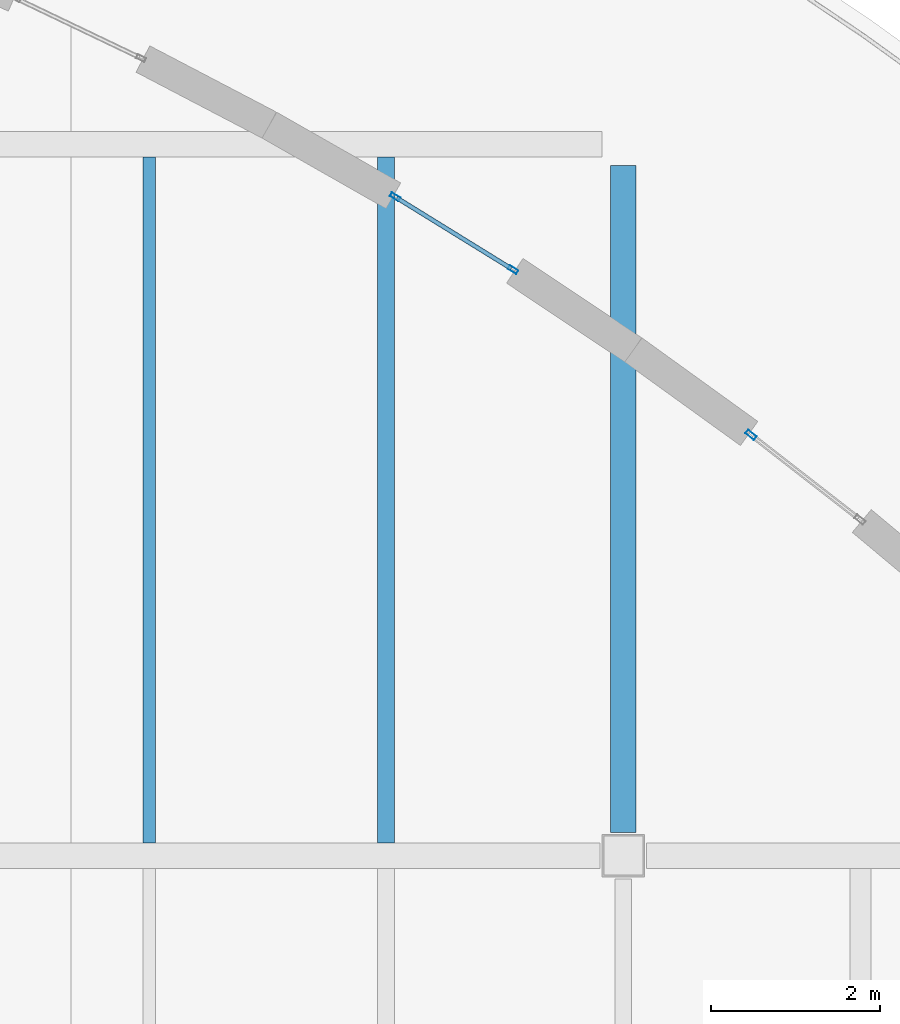
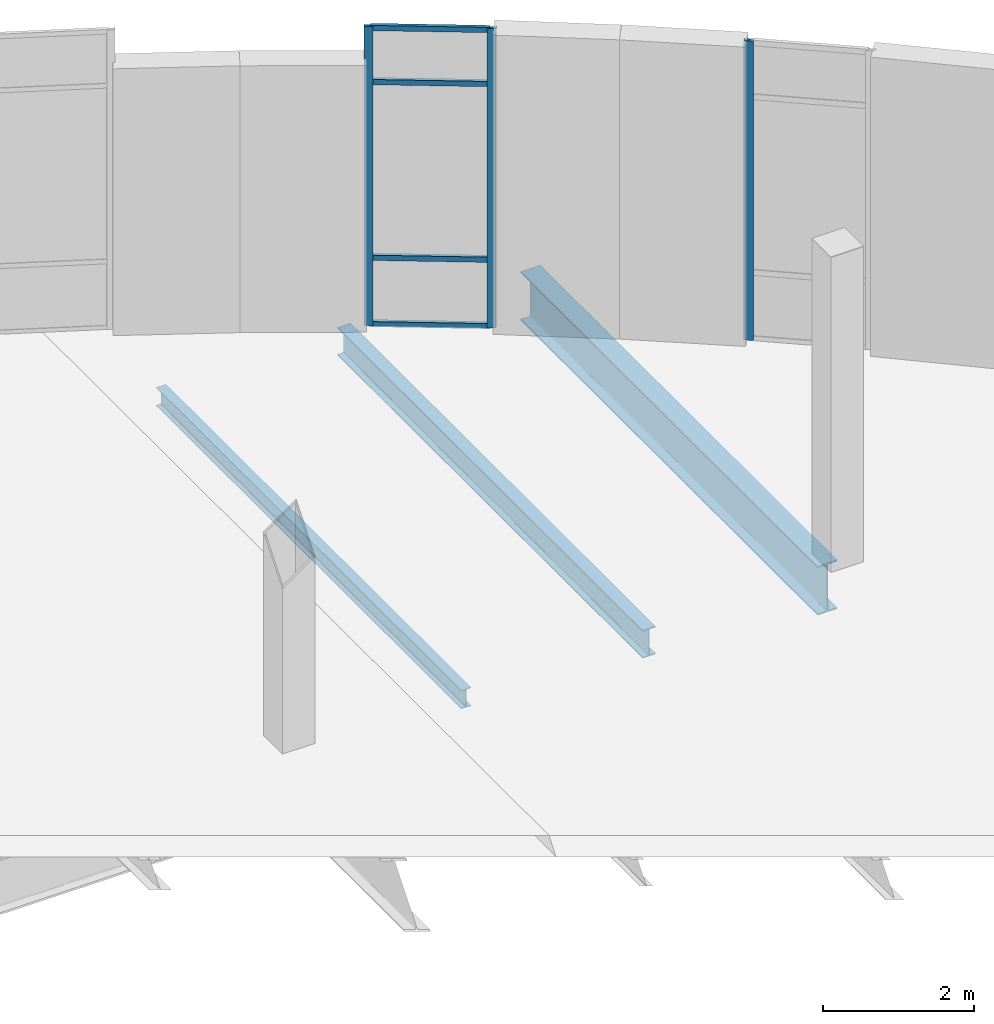
# One storey, part 54 of 103: 7 members, 3 beams, 2 elements without a shape of their own.
"""IFC4 building model written with IfcOpenShell, lengths in metres."""

from ifc_helpers import new_model, si_unit, direction, frame, origin, origin_2d, place, context, subcontext, project, spatial, hollow_rectangle, i_section, extrude, material, layer, layer_set, material_profile, profile_set, type_object, element, aggregate, save


model = new_model("IFC4")

# Units and contexts
model_context = context("Model", 3, precision=1e-05, world=origin(), true_north=direction((0.0, 1.0)))
body_context = subcontext(model_context, "Body", "Model", "MODEL_VIEW")
ifc_project = project(units=[si_unit("LENGTHUNIT", "METRE"), si_unit("AREAUNIT", "SQUARE_METRE"), si_unit("VOLUMEUNIT", "CUBIC_METRE"), si_unit("PLANEANGLEUNIT", "RADIAN"), si_unit("MASSUNIT", "GRAM", prefix="KILO"), si_unit("THERMODYNAMICTEMPERATUREUNIT", "KELVIN")], contexts=[model_context])

# Site, building, storey
site_placement = place(None, origin())
site = spatial("IfcSite", under=ifc_project, at=site_placement, CompositionType="ELEMENT")
building_placement = place(site_placement, origin())
building = spatial("IfcBuilding", under=site, at=building_placement, Name="Lustrewick Department Store", CompositionType="ELEMENT")
storey_placement = place(building_placement, frame((0.0, 0.0, 16.5)))
storey = spatial("IfcBuildingStorey", under=building, at=storey_placement, Name="L04", CompositionType="ELEMENT", Elevation=16.5)

# Beams
ifc_material_1 = material(Name="Structural steel Q355B", Category="steel")
ifc_material_profile_1 = material_profile(ifc_material_1, i_section(OverallWidth=0.199951171875, OverallDepth=0.449951171875, WebThickness=0.009033203125, FlangeThickness=0.013916015625, FilletRadius=0.01611328125, at=origin_2d()), Name="HN 450x200x9x14")
ifc_profile_set_1 = profile_set([ifc_material_profile_1], Name="Structural steel Q355B")
beam_type_1 = type_object("IfcBeamType", Name="B03", PredefinedType="JOIST", material=ifc_profile_set_1)
beam_1_placement = place(storey_placement, frame((140.0, 92.551025390625, -0.47998046875), z_axis=(0.0, 1.0, 0.0), x_axis=(-1.0, 0.0, 0.0)))
element("IfcBeam", 1, at=beam_1_placement, inside=storey, type_object=beam_type_1, Name="L04 V4 Secondary Joist B03", PredefinedType="JOIST", context=body_context, shape_type="SweptSolid", body=[
    extrude(i_section(OverallWidth=0.199951171875, OverallDepth=0.449951171875, WebThickness=0.009033203125, FlangeThickness=0.013916015625, FilletRadius=0.01611328125, at=origin_2d()), origin(), (0.0, 0.0, 1.0), 8.097900390625),
])
ifc_material_profile_2 = material_profile(ifc_material_1, i_section(OverallWidth=0.14892578125, OverallDepth=0.298095703125, WebThickness=0.005615234375, FlangeThickness=0.008056640625, FilletRadius=0.011962890625, at=origin_2d()), Name="HN 298x149x5.5x8")
ifc_profile_set_2 = profile_set([ifc_material_profile_2], Name="Structural steel Q355B")
beam_type_2 = type_object("IfcBeamType", Name="B12", PredefinedType="JOIST", material=ifc_profile_set_2)
beam_2_placement = place(storey_placement, frame((137.199951171875, 92.551025390625, -0.404052734375), z_axis=(0.0, 1.0, 0.0), x_axis=(-1.0, 0.0, 0.0)))
element("IfcBeam", 2, at=beam_2_placement, inside=storey, type_object=beam_type_2, Name="L04 V4 Secondary Joist B12", PredefinedType="JOIST", context=body_context, shape_type="SweptSolid", body=[
    extrude(i_section(OverallWidth=0.14892578125, OverallDepth=0.298095703125, WebThickness=0.005615234375, FlangeThickness=0.008056640625, FilletRadius=0.011962890625, at=origin_2d()), origin(), (0.0, 0.0, 1.0), 8.097900390625),
])

# Curtain wall, member
ifc_material_2 = material(Name="Thermally broken aluminium 6063-T5", Category="aluminium")
ifc_layer_1 = layer(ifc_material_2, 0.1298828125, Name="Thermally broken aluminium 6063-T5")
ifc_layer_set_1 = layer_set([ifc_layer_1], Name="Thermally broken aluminium 6063-T5")
curtain_wall_type_1 = type_object("IfcCurtainWallType", Name="CW07", PredefinedType="NOTDEFINED", material=ifc_layer_set_1)
curtain_wall_1_placement = place(storey_placement, origin())
curtain_wall_1 = element("IfcCurtainWall", 3, at=curtain_wall_1_placement, inside=storey, type_object=curtain_wall_type_1, Name="L04 V4 Curtain Wall CW07", PredefinedType="NOTDEFINED")
ifc_material_profile_3 = material_profile(ifc_material_2, hollow_rectangle(XDim=0.054931640625, YDim=0.1298828125, WallThickness=0.00341796875, at=origin_2d()), Name="ALU-M 55x130x3.5")
ifc_profile_set_3 = profile_set([ifc_material_profile_3], Name="Thermally broken aluminium 6063-T5")
member_type_1 = type_object("IfcMemberType", Name="CW07-M1", PredefinedType="MULLION", material=ifc_profile_set_3)
member_1_placement = place(storey_placement, frame((144.3076171875, 97.36865234375, 0.0), z_axis=(0.0, 0.0, 1.0), x_axis=(-0.613455642749, -0.78972917787, 0.0)))
member_1 = element("IfcMember", 4, at=member_1_placement, type_object=member_type_1, Name="CW07 mullion 2", PredefinedType="MULLION", context=body_context, shape_type="SweptSolid", body=[
    extrude(hollow_rectangle(XDim=0.054931640625, YDim=0.1298828125, WallThickness=0.00341796875, at=origin_2d()), origin(), (0.0, 0.0, 1.0), 4.844970703125),
])
aggregate(curtain_wall_1, [member_1])

# Curtain wall, members
ifc_layer_2 = layer(ifc_material_2, 0.1201171875, Name="Thermally broken aluminium 6063-T5")
ifc_layer_set_2 = layer_set([ifc_layer_2], Name="Thermally broken aluminium 6063-T5")
curtain_wall_type_2 = type_object("IfcCurtainWallType", Name="CW08", PredefinedType="NOTDEFINED", material=ifc_layer_set_2)
curtain_wall_2_placement = place(storey_placement, origin())
curtain_wall_2 = element("IfcCurtainWall", 5, at=curtain_wall_2_placement, inside=storey, type_object=curtain_wall_type_2, Name="L04 V4 Curtain Wall CW08", PredefinedType="NOTDEFINED")
ifc_material_profile_4 = material_profile(ifc_material_2, hollow_rectangle(XDim=0.050048828125, YDim=0.1201171875, WallThickness=0.0029296875, at=origin_2d()), Name="ALU-M 50x120x3")
ifc_profile_set_4 = profile_set([ifc_material_profile_4], Name="Thermally broken aluminium 6063-T5")
member_type_2 = type_object("IfcMemberType", Name="CW08-M1", PredefinedType="MULLION", material=ifc_profile_set_4)
member_2_placement = place(storey_placement, frame((141.496826171875, 99.3203125, 0.0), z_axis=(0.0, 0.0, 1.0), x_axis=(-0.525537103896, -0.850770681458, 0.0)))
member_2 = element("IfcMember", 6, at=member_2_placement, type_object=member_type_2, Name="CW08 mullion 1", PredefinedType="MULLION", context=body_context, shape_type="SweptSolid", body=[
    extrude(hollow_rectangle(XDim=0.050048828125, YDim=0.1201171875, WallThickness=0.0029296875, at=origin_2d()), origin(), (0.0, 0.0, 1.0), 4.844970703125),
])
member_3_placement = place(storey_placement, frame((140.10595703125, 100.179443359375, 0.0), z_axis=(0.0, 0.0, 1.0), x_axis=(-0.525537103896, -0.850770681458, 0.0)))
member_3 = element("IfcMember", 7, at=member_3_placement, type_object=member_type_2, Name="CW08 mullion 2", PredefinedType="MULLION", context=body_context, shape_type="SweptSolid", body=[
    extrude(hollow_rectangle(XDim=0.050048828125, YDim=0.1201171875, WallThickness=0.0029296875, at=origin_2d()), origin(), (0.0, 0.0, 1.0), 4.844970703125),
])
ifc_material_profile_5 = material_profile(ifc_material_2, hollow_rectangle(XDim=0.050048828125, YDim=0.0849609375, WallThickness=0.0029296875, at=origin_2d()), Name="ALU-T 50x85x3")
ifc_profile_set_5 = profile_set([ifc_material_profile_5], Name="Thermally broken aluminium 6063-T5")
member_type_3 = type_object("IfcMemberType", Name="CW08-T1", PredefinedType="USERDEFINED", material=ifc_profile_set_5)
member_4_placement = place(storey_placement, frame((141.4755859375, 99.33349609375, 0.02490234375), z_axis=(-0.850747355012, 0.525574864259, 0.0), x_axis=(-0.525574864259, -0.850747355012, 0.0)))
member_4 = element("IfcMember", 8, at=member_4_placement, type_object=member_type_3, Name="CW08 transom 1.1", ObjectType="TRANSOM", PredefinedType="USERDEFINED", context=body_context, shape_type="SweptSolid", body=[
    extrude(hollow_rectangle(XDim=0.050048828125, YDim=0.0849609375, WallThickness=0.0029296875, at=origin_2d()), origin(), (0.0, 0.0, 1.0), 1.5849609375),
])
member_5_placement = place(storey_placement, frame((141.4755859375, 99.33349609375, 1.10009765625), z_axis=(-0.850747355012, 0.525574864259, 0.0), x_axis=(-0.525574864259, -0.850747355012, 0.0)))
member_5 = element("IfcMember", 9, at=member_5_placement, type_object=member_type_3, Name="CW08 transom 1.2", ObjectType="TRANSOM", PredefinedType="USERDEFINED", context=body_context, shape_type="SweptSolid", body=[
    extrude(hollow_rectangle(XDim=0.050048828125, YDim=0.0849609375, WallThickness=0.0029296875, at=origin_2d()), origin(), (0.0, 0.0, 1.0), 1.5849609375),
])
member_6_placement = place(storey_placement, frame((141.4755859375, 99.33349609375, 3.945068359375), z_axis=(-0.850747355012, 0.525574864259, 0.0), x_axis=(-0.525574864259, -0.850747355012, 0.0)))
member_6 = element("IfcMember", 10, at=member_6_placement, type_object=member_type_3, Name="CW08 transom 1.3", ObjectType="TRANSOM", PredefinedType="USERDEFINED", context=body_context, shape_type="SweptSolid", body=[
    extrude(hollow_rectangle(XDim=0.050048828125, YDim=0.0849609375, WallThickness=0.0029296875, at=origin_2d()), origin(), (0.0, 0.0, 1.0), 1.5849609375),
])
member_7_placement = place(storey_placement, frame((141.4755859375, 99.33349609375, 4.820068359375), z_axis=(-0.850747355012, 0.525574864259, 0.0), x_axis=(-0.525574864259, -0.850747355012, 0.0)))
member_7 = element("IfcMember", 11, at=member_7_placement, type_object=member_type_3, Name="CW08 transom 1.4", ObjectType="TRANSOM", PredefinedType="USERDEFINED", context=body_context, shape_type="SweptSolid", body=[
    extrude(hollow_rectangle(XDim=0.050048828125, YDim=0.0849609375, WallThickness=0.0029296875, at=origin_2d()), origin(), (0.0, 0.0, 1.0), 1.5849609375),
])
aggregate(curtain_wall_2, [member_2, member_3, member_4, member_5, member_6, member_7])

# Beam
ifc_material_profile_6 = material_profile(ifc_material_1, i_section(OverallWidth=0.300048828125, OverallDepth=0.7919921875, WebThickness=0.013916015625, FlangeThickness=0.02197265625, FilletRadius=0.02197265625, at=origin_2d()), Name="HN 792x300x14x22")
ifc_profile_set_6 = profile_set([ifc_material_profile_6], Name="Structural steel Q355B")
beam_type_3 = type_object("IfcBeamType", Name="G06", PredefinedType="BEAM", material=ifc_profile_set_6)
beam_3_placement = place(storey_placement, frame((142.800048828125, 92.675048828125, -0.65087890625), z_axis=(0.0, 1.0, 0.0), x_axis=(-1.0, 0.0, 0.0)))
element("IfcBeam", 12, at=beam_3_placement, inside=storey, type_object=beam_type_3, Name="L04 V4 Girder G06", PredefinedType="BEAM", context=body_context, shape_type="SweptSolid", body=[
    extrude(i_section(OverallWidth=0.300048828125, OverallDepth=0.7919921875, WebThickness=0.013916015625, FlangeThickness=0.02197265625, FilletRadius=0.02197265625, at=origin_2d()), origin(), (0.0, 0.0, 1.0), 7.875),
])

save(model, "model.ifc")
